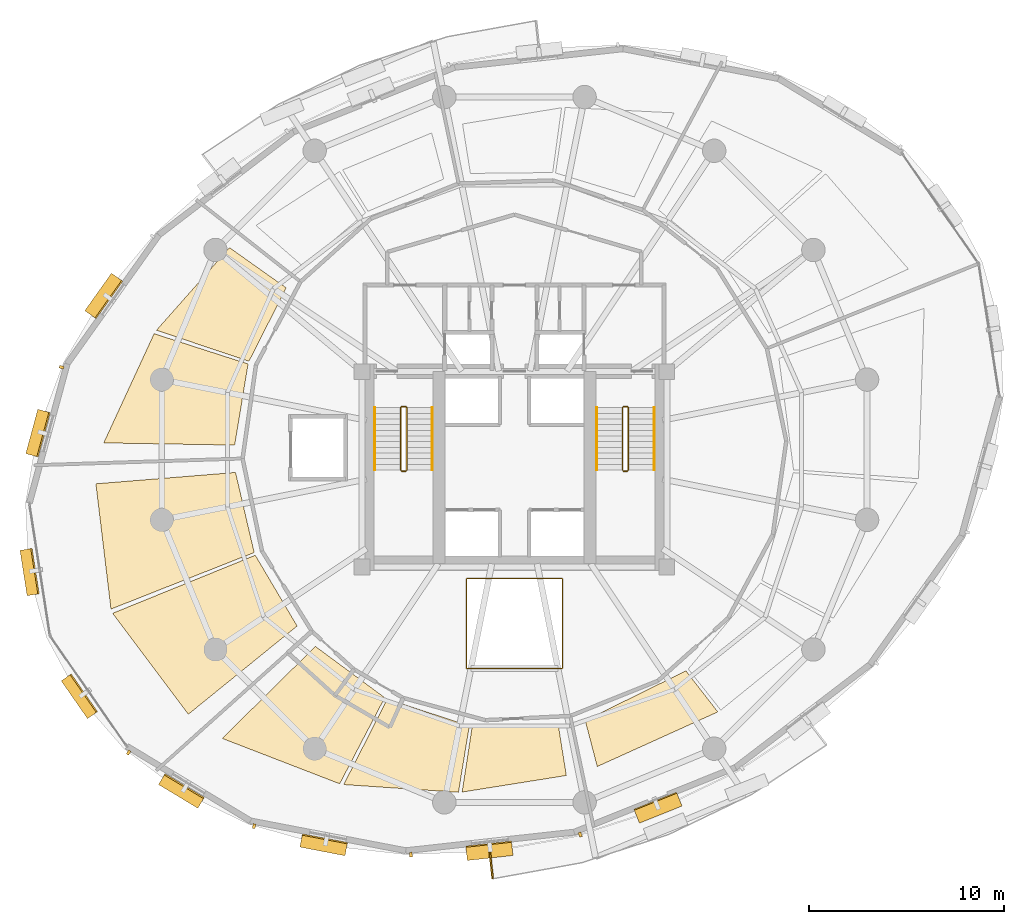
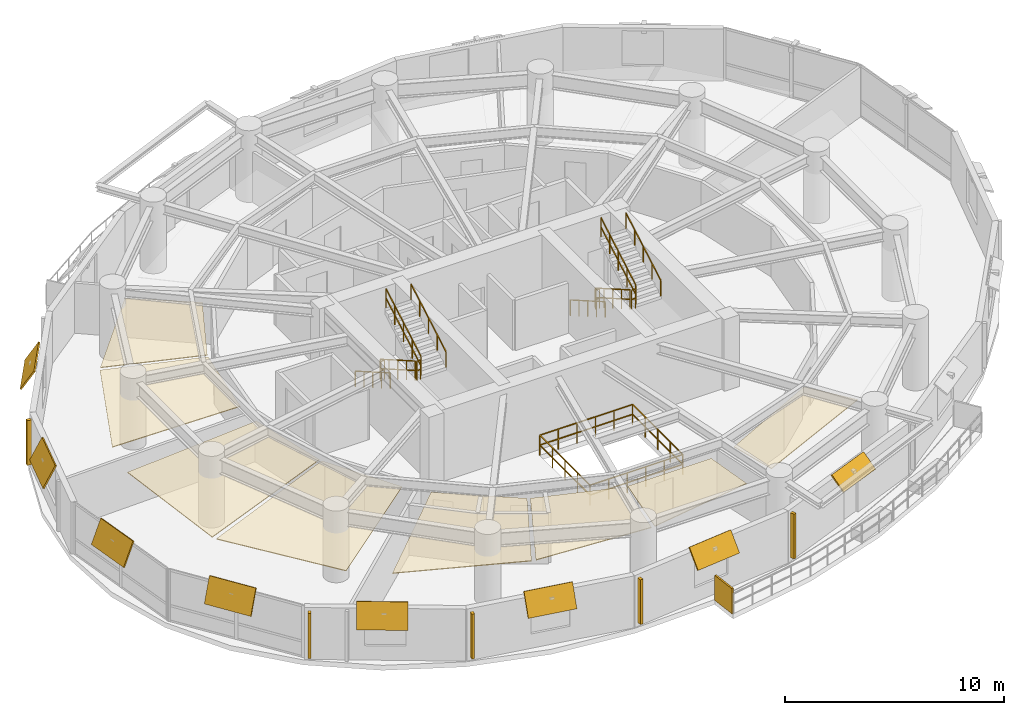
# One storey, part 13 of 14: 14 shading devices, 13 railings, 8 coverings.
"""IFC4 building model written with IfcOpenShell, lengths in metres."""

from ifc_helpers import new_model, si_unit, direction, frame, origin, origin_2d, place, context, subcontext, project, spatial, polyline, rectangle, outline, extrude, material, layer, layer_set, type_object, element, save


model = new_model("IFC4")

# Units and contexts
model_context = context("Model", 3, precision=1e-05, world=origin(), true_north=direction((0.0, 1.0)))
body_context = subcontext(model_context, "Body", "Model", "MODEL_VIEW")
ifc_project = project(units=[si_unit("LENGTHUNIT", "METRE"), si_unit("AREAUNIT", "SQUARE_METRE"), si_unit("VOLUMEUNIT", "CUBIC_METRE"), si_unit("PLANEANGLEUNIT", "RADIAN"), si_unit("MASSUNIT", "GRAM", prefix="KILO"), si_unit("THERMODYNAMICTEMPERATUREUNIT", "KELVIN"), si_unit("POWERUNIT", "WATT")], contexts=[model_context])

# Site, building, storey
site_placement = place(None, origin())
site = spatial("IfcSite", under=ifc_project, at=site_placement, CompositionType="ELEMENT")
building_placement = place(site_placement, origin())
building = spatial("IfcBuilding", under=site, at=building_placement, Name="Ocrelia Relay Tower", CompositionType="ELEMENT")
storey_placement = place(building_placement, frame((0.0, 0.0, 125.800048828125)))
storey = spatial("IfcBuildingStorey", under=building, at=storey_placement, Name="L29", CompositionType="ELEMENT", Elevation=125.800048828125)

# Coverings
ifc_material_1 = material(Name="Mineral-fiber acoustic ceiling tile", Category="gypsum")
ifc_layer_1 = layer(ifc_material_1, 0.0400390625, Name="Mineral-fiber acoustic ceiling tile")
ifc_layer_set_1 = layer_set([ifc_layer_1], Name="Mineral-fiber acoustic ceiling tile")
covering_type_1 = type_object("IfcCoveringType", Name="COV-CEIL-ACOUSTIC", PredefinedType="CEILING", material=ifc_layer_set_1)
covering_1_placement = place(storey_placement, frame((0.0, 0.0, 2.719970703125)))
element("IfcCovering", 1, at=covering_1_placement, inside=storey, type_object=covering_type_1, Name="L29 Innovation Club Room Suspended Ceiling 1", PredefinedType="CEILING", context=body_context, shape_type="SweptSolid", body=[
    extrude(outline(polyline([(23.8125, 15.936279296875), (19.044677734375, 11.226318359375), (25.056396484375, 8.90478515625), (27.36181640625, 13.3115234375), (23.8125, 15.936279296875)])), origin(), (0.0, 0.0, 1.0), 0.0400390625),
])
covering_2_placement = place(storey_placement, frame((0.0, 0.0, 2.719970703125)))
element("IfcCovering", 2, at=covering_2_placement, inside=storey, type_object=covering_type_1, Name="L29 Innovation Club Room Suspended Ceiling 2", PredefinedType="CEILING", context=body_context, shape_type="SweptSolid", body=[
    extrude(outline(polyline([(27.4951171875, 13.24267578125), (25.26220703125, 8.86328125), (31.134521484375, 8.47021484375), (31.68994140625, 11.86767578125), (27.4951171875, 13.24267578125)])), origin(), (0.0, 0.0, 1.0), 0.0400390625),
])
covering_3_placement = place(storey_placement, frame((0.0, 0.0, 2.719970703125)))
element("IfcCovering", 3, at=covering_3_placement, inside=storey, type_object=covering_type_1, Name="L29 Innovation Club Room Suspended Ceiling 3", PredefinedType="CEILING", context=body_context, shape_type="SweptSolid", body=[
    extrude(outline(polyline([(31.838134765625, 11.843994140625), (31.324462890625, 8.480712890625), (36.6552734375, 9.329345703125), (36.25244140625, 11.8583984375), (31.838134765625, 11.843994140625)])), origin(), (0.0, 0.0, 1.0), 0.0400390625),
])
covering_4_placement = place(storey_placement, frame((0.0, 0.0, 2.719970703125)))
element("IfcCovering", 4, at=covering_4_placement, inside=storey, type_object=covering_type_1, Name="L29 Shift Staff Lounge Suspended Ceiling 1", PredefinedType="CEILING", context=body_context, shape_type="SweptSolid", body=[
    extrude(outline(polyline([(22.320068359375, 34.28515625), (19.41845703125, 36.343505859375), (15.677001953125, 32.113037109375), (20.416015625, 30.531982421875), (22.320068359375, 34.28515625)])), origin(), (0.0, 0.0, 1.0), 0.0400390625),
])
covering_5_placement = place(storey_placement, frame((0.0, 0.0, 2.719970703125)))
element("IfcCovering", 5, at=covering_5_placement, inside=storey, type_object=covering_type_1, Name="L29 Shift Staff Lounge Suspended Ceiling 2", PredefinedType="CEILING", context=body_context, shape_type="SweptSolid", body=[
    extrude(outline(polyline([(20.369384765625, 30.389404296875), (15.55859375, 31.938720703125), (12.980712890625, 26.348388671875), (19.681884765625, 26.2373046875), (20.369384765625, 30.389404296875)])), origin(), (0.0, 0.0, 1.0), 0.0400390625),
])
covering_6_placement = place(storey_placement, frame((0.0, 0.0, 2.719970703125)))
element("IfcCovering", 6, at=covering_6_placement, inside=storey, type_object=covering_type_1, Name="L29 Executive Reading Study Suspended Ceiling 1", PredefinedType="CEILING", context=body_context, shape_type="SweptSolid", body=[
    extrude(outline(polyline([(19.72705078125, 24.839111328125), (12.579833984375, 24.2578125), (13.35205078125, 17.845703125), (20.680908203125, 20.739990234375), (19.72705078125, 24.839111328125)])), origin(), (0.0, 0.0, 1.0), 0.0400390625),
])
covering_7_placement = place(storey_placement, frame((0.0, 0.0, 2.719970703125)))
element("IfcCovering", 7, at=covering_7_placement, inside=storey, type_object=covering_type_1, Name="L29 Executive Reading Study Suspended Ceiling 2", PredefinedType="CEILING", context=body_context, shape_type="SweptSolid", body=[
    extrude(outline(polyline([(20.73681640625, 20.600830078125), (13.438720703125, 17.6298828125), (17.310302734375, 12.460693359375), (22.879150390625, 16.978515625), (20.73681640625, 20.600830078125)])), origin(), (0.0, 0.0, 1.0), 0.0400390625),
])
ifc_material_2 = material(Name="Cleanroom metal-pan acoustic ceiling", Category="aluminium")
ifc_layer_2 = layer(ifc_material_2, 0.0400390625, Name="Cleanroom metal-pan acoustic ceiling")
ifc_layer_set_2 = layer_set([ifc_layer_2], Name="Cleanroom metal-pan acoustic ceiling")
covering_type_2 = type_object("IfcCoveringType", Name="COV-CEIL-CLEAN", PredefinedType="CEILING", material=ifc_layer_set_2)
covering_8_placement = place(storey_placement, frame((0.0, 0.0, 2.719970703125)))
element("IfcCovering", 8, at=covering_8_placement, inside=storey, type_object=covering_type_2, Name="L29 Optical Switching Hall A Suspended Ceiling 1", PredefinedType="CEILING", context=body_context, shape_type="SweptSolid", body=[
    extrude(outline(polyline([(37.62158203125, 12.1455078125), (38.238037109375, 9.78759765625), (44.40771484375, 12.582763671875), (42.77685546875, 14.68505859375), (37.62158203125, 12.1455078125)])), origin(), (0.0, 0.0, 1.0), 0.0400390625),
])

# Railings
ifc_material_3 = material(Name="Steel S355 atrium balustrade", Category="steel")
railing_type_1 = type_object("IfcRailingType", Name="RL-INT-GUARD-115", PredefinedType="GUARDRAIL", material=ifc_material_3)
railing_1_placement = place(storey_placement, frame((31.550048828125, 14.800048828125, 0.0)))
element("IfcRailing", 9, at=railing_1_placement, inside=storey, type_object=railing_type_1, Name="L29 Multi-Zone Interior Atrium Guard", PredefinedType="GUARDRAIL", context=body_context, shape_type="SweptSolid", body=[
    extrude(rectangle(XDim=0.048095703125, YDim=0.048095703125, at=origin_2d()), frame((0.0, 0.0, 1.1259765625), z_axis=(1.0, 0.0, 0.0), x_axis=(0.0, 1.0, 0.0)), (0.0, 0.0, 1.0), 4.89990234375),
    extrude(rectangle(XDim=0.048095703125, YDim=0.048095703125, at=origin_2d()), frame((0.0, 0.0, 0.574951171875), z_axis=(1.0, 0.0, 0.0), x_axis=(0.0, 1.0, 0.0)), (0.0, 0.0, 1.0), 4.89990234375),
    extrude(rectangle(XDim=0.048095703125, YDim=0.048095703125, at=origin_2d()), frame((4.89990234375, 0.0, 1.1259765625), z_axis=(0.0, 1.0, 0.0), x_axis=(-1.0, 0.0, 0.0)), (0.0, 0.0, 1.0), 4.599853515625),
    extrude(rectangle(XDim=0.048095703125, YDim=0.048095703125, at=origin_2d()), frame((4.89990234375, 0.0, 0.574951171875), z_axis=(0.0, 1.0, 0.0), x_axis=(-1.0, 0.0, 0.0)), (0.0, 0.0, 1.0), 4.599853515625),
    extrude(rectangle(XDim=0.048095703125, YDim=0.048095703125, at=origin_2d()), frame((4.89990234375, 4.599853515625, 1.1259765625), z_axis=(-1.0, 0.0, 0.0), x_axis=(0.0, -1.0, 0.0)), (0.0, 0.0, 1.0), 4.89990234375),
    extrude(rectangle(XDim=0.048095703125, YDim=0.048095703125, at=origin_2d()), frame((4.89990234375, 4.599853515625, 0.574951171875), z_axis=(-1.0, 0.0, 0.0), x_axis=(0.0, -1.0, 0.0)), (0.0, 0.0, 1.0), 4.89990234375),
    extrude(rectangle(XDim=0.048095703125, YDim=0.048095703125, at=origin_2d()), frame((0.0, 4.599853515625, 1.1259765625), z_axis=(0.0, -1.0, 0.0), x_axis=(1.0, 0.0, 0.0)), (0.0, 0.0, 1.0), 4.599853515625),
    extrude(rectangle(XDim=0.048095703125, YDim=0.048095703125, at=origin_2d()), frame((0.0, 4.599853515625, 0.574951171875), z_axis=(0.0, -1.0, 0.0), x_axis=(1.0, 0.0, 0.0)), (0.0, 0.0, 1.0), 4.599853515625),
    extrude(rectangle(XDim=0.0419921875, YDim=0.0419921875, at=origin_2d()), origin(), (0.0, 0.0, 1.0), 1.101806640625),
    extrude(rectangle(XDim=0.0419921875, YDim=0.0419921875, at=origin_2d()), frame((0.97998046875, 0.0, 0.0)), (0.0, 0.0, 1.0), 1.101806640625),
    extrude(rectangle(XDim=0.0419921875, YDim=0.0419921875, at=origin_2d()), frame((1.9599609375, 0.0, 0.0)), (0.0, 0.0, 1.0), 1.101806640625),
    extrude(rectangle(XDim=0.0419921875, YDim=0.0419921875, at=origin_2d()), frame((2.93994140625, 0.0, 0.0)), (0.0, 0.0, 1.0), 1.101806640625),
    extrude(rectangle(XDim=0.0419921875, YDim=0.0419921875, at=origin_2d()), frame((3.919921875, 0.0, 0.0)), (0.0, 0.0, 1.0), 1.101806640625),
    extrude(rectangle(XDim=0.0419921875, YDim=0.0419921875, at=origin_2d()), frame((4.89990234375, 0.0, 0.0)), (0.0, 0.0, 1.0), 1.101806640625),
    extrude(rectangle(XDim=0.0419921875, YDim=0.0419921875, at=origin_2d()), frame((4.89990234375, 1.14990234375, 0.0)), (0.0, 0.0, 1.0), 1.101806640625),
    extrude(rectangle(XDim=0.0419921875, YDim=0.0419921875, at=origin_2d()), frame((4.89990234375, 2.2998046875, 0.0)), (0.0, 0.0, 1.0), 1.101806640625),
    extrude(rectangle(XDim=0.0419921875, YDim=0.0419921875, at=origin_2d()), frame((4.89990234375, 3.449951171875, 0.0)), (0.0, 0.0, 1.0), 1.101806640625),
    extrude(rectangle(XDim=0.0419921875, YDim=0.0419921875, at=origin_2d()), frame((4.89990234375, 4.599853515625, 0.0)), (0.0, 0.0, 1.0), 1.101806640625),
    extrude(rectangle(XDim=0.0419921875, YDim=0.0419921875, at=origin_2d()), frame((3.919921875, 4.599853515625, 0.0)), (0.0, 0.0, 1.0), 1.101806640625),
    extrude(rectangle(XDim=0.0419921875, YDim=0.0419921875, at=origin_2d()), frame((2.93994140625, 4.599853515625, 0.0)), (0.0, 0.0, 1.0), 1.101806640625),
    extrude(rectangle(XDim=0.0419921875, YDim=0.0419921875, at=origin_2d()), frame((1.9599609375, 4.599853515625, 0.0)), (0.0, 0.0, 1.0), 1.101806640625),
    extrude(rectangle(XDim=0.0419921875, YDim=0.0419921875, at=origin_2d()), frame((0.97998046875, 4.599853515625, 0.0)), (0.0, 0.0, 1.0), 1.101806640625),
    extrude(rectangle(XDim=0.0419921875, YDim=0.0419921875, at=origin_2d()), frame((0.0, 4.599853515625, 0.0)), (0.0, 0.0, 1.0), 1.101806640625),
    extrude(rectangle(XDim=0.0419921875, YDim=0.0419921875, at=origin_2d()), frame((0.0, 3.449951171875, 0.0)), (0.0, 0.0, 1.0), 1.101806640625),
    extrude(rectangle(XDim=0.0419921875, YDim=0.0419921875, at=origin_2d()), frame((0.0, 2.2998046875, 0.0)), (0.0, 0.0, 1.0), 1.101806640625),
    extrude(rectangle(XDim=0.0419921875, YDim=0.0419921875, at=origin_2d()), frame((0.0, 1.14990234375, 0.0)), (0.0, 0.0, 1.0), 1.101806640625),
])
ifc_material_4 = material(Name="Steel S355 balustrade", Category="steel")
railing_type_2 = type_object("IfcRailingType", Name="RL-STAIR-GUARD", PredefinedType="GUARDRAIL", material=ifc_material_4)
railing_2_placement = place(storey_placement, frame((28.179931640625, 28.14990234375, 0.16650390625)))
element("IfcRailing", 10, at=railing_2_placement, inside=storey, type_object=railing_type_2, Name="L29 ST1 stair guard 1", PredefinedType="GUARDRAIL", context=body_context, shape_type="SweptSolid", body=[
    extrude(rectangle(XDim=0.048095703125, YDim=0.048095703125, at=origin_2d()), frame((0.0, 0.0, 1.076171875), z_axis=(0.0, -0.86699087805, 0.498324008431), x_axis=(1.0, 0.0, 0.0)), (0.0, 0.0, 1.0), 3.679443359375),
    extrude(rectangle(XDim=0.048095703125, YDim=0.048095703125, at=origin_2d()), frame((0.0, 0.0, 0.550048828125), z_axis=(0.0, -0.86699087805, 0.498324008431), x_axis=(1.0, 0.0, 0.0)), (0.0, 0.0, 1.0), 3.679443359375),
    extrude(rectangle(XDim=0.0419921875, YDim=0.0419921875, at=origin_2d()), origin(), (0.0, 0.0, 1.0), 1.052001953125),
    extrude(rectangle(XDim=0.0419921875, YDim=0.0419921875, at=origin_2d()), frame((0.0, -0.79736328125, 0.45849609375)), (0.0, 0.0, 1.0), 1.052001953125),
    extrude(rectangle(XDim=0.0419921875, YDim=0.0419921875, at=origin_2d()), frame((0.0, -1.594970703125, 0.916748046875)), (0.0, 0.0, 1.0), 1.052001953125),
    extrude(rectangle(XDim=0.0419921875, YDim=0.0419921875, at=origin_2d()), frame((0.0, -2.392578125, 1.375)), (0.0, 0.0, 1.0), 1.052001953125),
    extrude(rectangle(XDim=0.0419921875, YDim=0.0419921875, at=origin_2d()), frame((0.0, -3.18994140625, 1.83349609375)), (0.0, 0.0, 1.0), 1.052001953125),
])
railing_3_placement = place(storey_placement, frame((28.22998046875, 24.909912109375, 2.0)))
element("IfcRailing", 11, at=railing_3_placement, inside=storey, type_object=railing_type_2, Name="L29 ST1 stair guard 2", PredefinedType="GUARDRAIL", context=body_context, shape_type="SweptSolid", body=[
    extrude(rectangle(XDim=0.048095703125, YDim=0.048095703125, at=origin_2d()), frame((0.0, 0.0, 1.076171875), z_axis=(1.0, 0.0, 0.0), x_axis=(0.0, 1.0, 0.0)), (0.0, 0.0, 1.0), 0.199951171875),
    extrude(rectangle(XDim=0.048095703125, YDim=0.048095703125, at=origin_2d()), frame((0.0, 0.0, 0.550048828125), z_axis=(1.0, 0.0, 0.0), x_axis=(0.0, 1.0, 0.0)), (0.0, 0.0, 1.0), 0.199951171875),
    extrude(rectangle(XDim=0.0419921875, YDim=0.0419921875, at=origin_2d()), origin(), (0.0, 0.0, 1.0), 1.052001953125),
    extrude(rectangle(XDim=0.0419921875, YDim=0.0419921875, at=origin_2d()), frame((0.199951171875, 0.0, 0.0)), (0.0, 0.0, 1.0), 1.052001953125),
])
railing_4_placement = place(storey_placement, frame((28.47998046875, 24.9599609375, 2.16650390625)))
element("IfcRailing", 12, at=railing_4_placement, inside=storey, type_object=railing_type_2, Name="L29 ST1 stair guard 3", PredefinedType="GUARDRAIL", context=body_context, shape_type="SweptSolid", body=[
    extrude(rectangle(XDim=0.048095703125, YDim=0.048095703125, at=origin_2d()), frame((0.0, 0.0, 1.076171875), z_axis=(0.0, 0.86699087805, 0.498324008431), x_axis=(-1.0, 0.0, 0.0)), (0.0, 0.0, 1.0), 3.679443359375),
    extrude(rectangle(XDim=0.048095703125, YDim=0.048095703125, at=origin_2d()), frame((0.0, 0.0, 0.550048828125), z_axis=(0.0, 0.86699087805, 0.498324008431), x_axis=(-1.0, 0.0, 0.0)), (0.0, 0.0, 1.0), 3.679443359375),
    extrude(rectangle(XDim=0.0419921875, YDim=0.0419921875, at=origin_2d()), origin(), (0.0, 0.0, 1.0), 1.052001953125),
    extrude(rectangle(XDim=0.0419921875, YDim=0.0419921875, at=origin_2d()), frame((0.0, 0.79736328125, 0.45849609375)), (0.0, 0.0, 1.0), 1.052001953125),
    extrude(rectangle(XDim=0.0419921875, YDim=0.0419921875, at=origin_2d()), frame((0.0, 1.594970703125, 0.916748046875)), (0.0, 0.0, 1.0), 1.052001953125),
    extrude(rectangle(XDim=0.0419921875, YDim=0.0419921875, at=origin_2d()), frame((0.0, 2.392578125, 1.375)), (0.0, 0.0, 1.0), 1.052001953125),
    extrude(rectangle(XDim=0.0419921875, YDim=0.0419921875, at=origin_2d()), frame((0.0, 3.18994140625, 1.83349609375)), (0.0, 0.0, 1.0), 1.052001953125),
])
railing_5_placement = place(storey_placement, frame((28.22998046875, 28.199951171875, 0.0)))
element("IfcRailing", 13, at=railing_5_placement, inside=storey, type_object=railing_type_2, Name="L29 ST1 stair guard 4", PredefinedType="GUARDRAIL", context=body_context, shape_type="SweptSolid", body=[
    extrude(rectangle(XDim=0.048095703125, YDim=0.048095703125, at=origin_2d()), frame((0.0, 0.0, 1.076171875), z_axis=(1.0, 0.0, 0.0), x_axis=(0.0, 1.0, 0.0)), (0.0, 0.0, 1.0), 0.199951171875),
    extrude(rectangle(XDim=0.048095703125, YDim=0.048095703125, at=origin_2d()), frame((0.0, 0.0, 0.550048828125), z_axis=(1.0, 0.0, 0.0), x_axis=(0.0, 1.0, 0.0)), (0.0, 0.0, 1.0), 0.199951171875),
    extrude(rectangle(XDim=0.0419921875, YDim=0.0419921875, at=origin_2d()), origin(), (0.0, 0.0, 1.0), 1.052001953125),
    extrude(rectangle(XDim=0.0419921875, YDim=0.0419921875, at=origin_2d()), frame((0.199951171875, 0.0, 0.0)), (0.0, 0.0, 1.0), 1.052001953125),
])
railing_6_placement = place(storey_placement, frame((39.530029296875, 28.14990234375, 0.16650390625)))
element("IfcRailing", 14, at=railing_6_placement, inside=storey, type_object=railing_type_2, Name="L29 ST2 stair guard 1", PredefinedType="GUARDRAIL", context=body_context, shape_type="SweptSolid", body=[
    extrude(rectangle(XDim=0.048095703125, YDim=0.048095703125, at=origin_2d()), frame((0.0, 0.0, 1.076171875), z_axis=(0.0, -0.86699087805, 0.498324008431), x_axis=(1.0, 0.0, 0.0)), (0.0, 0.0, 1.0), 3.679443359375),
    extrude(rectangle(XDim=0.048095703125, YDim=0.048095703125, at=origin_2d()), frame((0.0, 0.0, 0.550048828125), z_axis=(0.0, -0.86699087805, 0.498324008431), x_axis=(1.0, 0.0, 0.0)), (0.0, 0.0, 1.0), 3.679443359375),
    extrude(rectangle(XDim=0.0419921875, YDim=0.0419921875, at=origin_2d()), origin(), (0.0, 0.0, 1.0), 1.052001953125),
    extrude(rectangle(XDim=0.0419921875, YDim=0.0419921875, at=origin_2d()), frame((0.0, -0.79736328125, 0.45849609375)), (0.0, 0.0, 1.0), 1.052001953125),
    extrude(rectangle(XDim=0.0419921875, YDim=0.0419921875, at=origin_2d()), frame((0.0, -1.594970703125, 0.916748046875)), (0.0, 0.0, 1.0), 1.052001953125),
    extrude(rectangle(XDim=0.0419921875, YDim=0.0419921875, at=origin_2d()), frame((0.0, -2.392578125, 1.375)), (0.0, 0.0, 1.0), 1.052001953125),
    extrude(rectangle(XDim=0.0419921875, YDim=0.0419921875, at=origin_2d()), frame((0.0, -3.18994140625, 1.83349609375)), (0.0, 0.0, 1.0), 1.052001953125),
])
railing_7_placement = place(storey_placement, frame((39.580078125, 24.909912109375, 2.0)))
element("IfcRailing", 15, at=railing_7_placement, inside=storey, type_object=railing_type_2, Name="L29 ST2 stair guard 2", PredefinedType="GUARDRAIL", context=body_context, shape_type="SweptSolid", body=[
    extrude(rectangle(XDim=0.048095703125, YDim=0.048095703125, at=origin_2d()), frame((0.0, 0.0, 1.076171875), z_axis=(1.0, 0.0, 0.0), x_axis=(0.0, 1.0, 0.0)), (0.0, 0.0, 1.0), 0.199951171875),
    extrude(rectangle(XDim=0.048095703125, YDim=0.048095703125, at=origin_2d()), frame((0.0, 0.0, 0.550048828125), z_axis=(1.0, 0.0, 0.0), x_axis=(0.0, 1.0, 0.0)), (0.0, 0.0, 1.0), 0.199951171875),
    extrude(rectangle(XDim=0.0419921875, YDim=0.0419921875, at=origin_2d()), origin(), (0.0, 0.0, 1.0), 1.052001953125),
    extrude(rectangle(XDim=0.0419921875, YDim=0.0419921875, at=origin_2d()), frame((0.199951171875, 0.0, 0.0)), (0.0, 0.0, 1.0), 1.052001953125),
])
railing_8_placement = place(storey_placement, frame((39.830078125, 24.9599609375, 2.16650390625)))
element("IfcRailing", 16, at=railing_8_placement, inside=storey, type_object=railing_type_2, Name="L29 ST2 stair guard 3", PredefinedType="GUARDRAIL", context=body_context, shape_type="SweptSolid", body=[
    extrude(rectangle(XDim=0.048095703125, YDim=0.048095703125, at=origin_2d()), frame((0.0, 0.0, 1.076171875), z_axis=(0.0, 0.86699087805, 0.498324008431), x_axis=(-1.0, 0.0, 0.0)), (0.0, 0.0, 1.0), 3.679443359375),
    extrude(rectangle(XDim=0.048095703125, YDim=0.048095703125, at=origin_2d()), frame((0.0, 0.0, 0.550048828125), z_axis=(0.0, 0.86699087805, 0.498324008431), x_axis=(-1.0, 0.0, 0.0)), (0.0, 0.0, 1.0), 3.679443359375),
    extrude(rectangle(XDim=0.0419921875, YDim=0.0419921875, at=origin_2d()), origin(), (0.0, 0.0, 1.0), 1.052001953125),
    extrude(rectangle(XDim=0.0419921875, YDim=0.0419921875, at=origin_2d()), frame((0.0, 0.79736328125, 0.45849609375)), (0.0, 0.0, 1.0), 1.052001953125),
    extrude(rectangle(XDim=0.0419921875, YDim=0.0419921875, at=origin_2d()), frame((0.0, 1.594970703125, 0.916748046875)), (0.0, 0.0, 1.0), 1.052001953125),
    extrude(rectangle(XDim=0.0419921875, YDim=0.0419921875, at=origin_2d()), frame((0.0, 2.392578125, 1.375)), (0.0, 0.0, 1.0), 1.052001953125),
    extrude(rectangle(XDim=0.0419921875, YDim=0.0419921875, at=origin_2d()), frame((0.0, 3.18994140625, 1.83349609375)), (0.0, 0.0, 1.0), 1.052001953125),
])
railing_9_placement = place(storey_placement, frame((39.580078125, 28.199951171875, 0.0)))
element("IfcRailing", 17, at=railing_9_placement, inside=storey, type_object=railing_type_2, Name="L29 ST2 stair guard 4", PredefinedType="GUARDRAIL", context=body_context, shape_type="SweptSolid", body=[
    extrude(rectangle(XDim=0.048095703125, YDim=0.048095703125, at=origin_2d()), frame((0.0, 0.0, 1.076171875), z_axis=(1.0, 0.0, 0.0), x_axis=(0.0, 1.0, 0.0)), (0.0, 0.0, 1.0), 0.199951171875),
    extrude(rectangle(XDim=0.048095703125, YDim=0.048095703125, at=origin_2d()), frame((0.0, 0.0, 0.550048828125), z_axis=(1.0, 0.0, 0.0), x_axis=(0.0, 1.0, 0.0)), (0.0, 0.0, 1.0), 0.199951171875),
    extrude(rectangle(XDim=0.0419921875, YDim=0.0419921875, at=origin_2d()), origin(), (0.0, 0.0, 1.0), 1.052001953125),
    extrude(rectangle(XDim=0.0419921875, YDim=0.0419921875, at=origin_2d()), frame((0.199951171875, 0.0, 0.0)), (0.0, 0.0, 1.0), 1.052001953125),
])
ifc_material_5 = material(Name="Steel S355 tubular handrail", Category="steel")
railing_type_3 = type_object("IfcRailingType", Name="RL-STAIR-HAND", PredefinedType="HANDRAIL", material=ifc_material_5)
railing_10_placement = place(storey_placement, frame((26.860107421875, 28.14990234375, 0.16650390625)))
element("IfcRailing", 18, at=railing_10_placement, inside=storey, type_object=railing_type_3, Name="L29 ST1 stair handrail 1", PredefinedType="HANDRAIL", context=body_context, shape_type="SweptSolid", body=[
    extrude(rectangle(XDim=0.048095703125, YDim=0.048095703125, at=origin_2d()), frame((0.0, 0.0, 0.8759765625), z_axis=(0.0, -0.86699087805, 0.498324008431), x_axis=(1.0, 0.0, 0.0)), (0.0, 0.0, 1.0), 3.679443359375),
    extrude(rectangle(XDim=0.0419921875, YDim=0.0419921875, at=origin_2d()), origin(), (0.0, 0.0, 1.0), 0.851806640625),
    extrude(rectangle(XDim=0.0419921875, YDim=0.0419921875, at=origin_2d()), frame((0.0, -0.79736328125, 0.45849609375)), (0.0, 0.0, 1.0), 0.851806640625),
    extrude(rectangle(XDim=0.0419921875, YDim=0.0419921875, at=origin_2d()), frame((0.0, -1.594970703125, 0.916748046875)), (0.0, 0.0, 1.0), 0.851806640625),
    extrude(rectangle(XDim=0.0419921875, YDim=0.0419921875, at=origin_2d()), frame((0.0, -2.392578125, 1.375)), (0.0, 0.0, 1.0), 0.851806640625),
    extrude(rectangle(XDim=0.0419921875, YDim=0.0419921875, at=origin_2d()), frame((0.0, -3.18994140625, 1.83349609375)), (0.0, 0.0, 1.0), 0.851806640625),
])
railing_11_placement = place(storey_placement, frame((29.800048828125, 24.9599609375, 2.16650390625)))
element("IfcRailing", 19, at=railing_11_placement, inside=storey, type_object=railing_type_3, Name="L29 ST1 stair handrail 2", PredefinedType="HANDRAIL", context=body_context, shape_type="SweptSolid", body=[
    extrude(rectangle(XDim=0.048095703125, YDim=0.048095703125, at=origin_2d()), frame((0.0, 0.0, 0.8759765625), z_axis=(0.0, 0.86699087805, 0.498324008431), x_axis=(-1.0, 0.0, 0.0)), (0.0, 0.0, 1.0), 3.679443359375),
    extrude(rectangle(XDim=0.0419921875, YDim=0.0419921875, at=origin_2d()), origin(), (0.0, 0.0, 1.0), 0.851806640625),
    extrude(rectangle(XDim=0.0419921875, YDim=0.0419921875, at=origin_2d()), frame((0.0, 0.79736328125, 0.45849609375)), (0.0, 0.0, 1.0), 0.851806640625),
    extrude(rectangle(XDim=0.0419921875, YDim=0.0419921875, at=origin_2d()), frame((0.0, 1.594970703125, 0.916748046875)), (0.0, 0.0, 1.0), 0.851806640625),
    extrude(rectangle(XDim=0.0419921875, YDim=0.0419921875, at=origin_2d()), frame((0.0, 2.392578125, 1.375)), (0.0, 0.0, 1.0), 0.851806640625),
    extrude(rectangle(XDim=0.0419921875, YDim=0.0419921875, at=origin_2d()), frame((0.0, 3.18994140625, 1.83349609375)), (0.0, 0.0, 1.0), 0.851806640625),
])
railing_12_placement = place(storey_placement, frame((38.2099609375, 28.14990234375, 0.16650390625)))
element("IfcRailing", 20, at=railing_12_placement, inside=storey, type_object=railing_type_3, Name="L29 ST2 stair handrail 1", PredefinedType="HANDRAIL", context=body_context, shape_type="SweptSolid", body=[
    extrude(rectangle(XDim=0.048095703125, YDim=0.048095703125, at=origin_2d()), frame((0.0, 0.0, 0.8759765625), z_axis=(0.0, -0.86699087805, 0.498324008431), x_axis=(1.0, 0.0, 0.0)), (0.0, 0.0, 1.0), 3.679443359375),
    extrude(rectangle(XDim=0.0419921875, YDim=0.0419921875, at=origin_2d()), origin(), (0.0, 0.0, 1.0), 0.851806640625),
    extrude(rectangle(XDim=0.0419921875, YDim=0.0419921875, at=origin_2d()), frame((0.0, -0.79736328125, 0.45849609375)), (0.0, 0.0, 1.0), 0.851806640625),
    extrude(rectangle(XDim=0.0419921875, YDim=0.0419921875, at=origin_2d()), frame((0.0, -1.594970703125, 0.916748046875)), (0.0, 0.0, 1.0), 0.851806640625),
    extrude(rectangle(XDim=0.0419921875, YDim=0.0419921875, at=origin_2d()), frame((0.0, -2.392578125, 1.375)), (0.0, 0.0, 1.0), 0.851806640625),
    extrude(rectangle(XDim=0.0419921875, YDim=0.0419921875, at=origin_2d()), frame((0.0, -3.18994140625, 1.83349609375)), (0.0, 0.0, 1.0), 0.851806640625),
])
railing_13_placement = place(storey_placement, frame((41.14990234375, 24.9599609375, 2.16650390625)))
element("IfcRailing", 21, at=railing_13_placement, inside=storey, type_object=railing_type_3, Name="L29 ST2 stair handrail 2", PredefinedType="HANDRAIL", context=body_context, shape_type="SweptSolid", body=[
    extrude(rectangle(XDim=0.048095703125, YDim=0.048095703125, at=origin_2d()), frame((0.0, 0.0, 0.8759765625), z_axis=(0.0, 0.86699087805, 0.498324008431), x_axis=(-1.0, 0.0, 0.0)), (0.0, 0.0, 1.0), 3.679443359375),
    extrude(rectangle(XDim=0.0419921875, YDim=0.0419921875, at=origin_2d()), origin(), (0.0, 0.0, 1.0), 0.851806640625),
    extrude(rectangle(XDim=0.0419921875, YDim=0.0419921875, at=origin_2d()), frame((0.0, 0.79736328125, 0.45849609375)), (0.0, 0.0, 1.0), 0.851806640625),
    extrude(rectangle(XDim=0.0419921875, YDim=0.0419921875, at=origin_2d()), frame((0.0, 1.594970703125, 0.916748046875)), (0.0, 0.0, 1.0), 0.851806640625),
    extrude(rectangle(XDim=0.0419921875, YDim=0.0419921875, at=origin_2d()), frame((0.0, 2.392578125, 1.375)), (0.0, 0.0, 1.0), 0.851806640625),
    extrude(rectangle(XDim=0.0419921875, YDim=0.0419921875, at=origin_2d()), frame((0.0, 3.18994140625, 1.83349609375)), (0.0, 0.0, 1.0), 0.851806640625),
])

# Shading devices
ifc_material_6 = material(Name="Perforated oxide terracotta solar screen", Category="masonry")
ifc_layer_3 = layer(ifc_material_6, 0.090087890625, Name="Perforated oxide terracotta solar screen")
ifc_layer_set_3 = layer_set([ifc_layer_3], Name="Perforated oxide terracotta solar screen")
shading_device_type_1 = type_object("IfcShadingDeviceType", Name="SH-BALC-SCREEN", PredefinedType="USERDEFINED", material=ifc_layer_set_3)
shading_device_1_placement = place(storey_placement, frame((32.81298828125, 4.72412109375, 0.0), z_axis=(0.0, 0.0, 1.0), x_axis=(0.107934287006, -0.994158030541, 0.0)))
element("IfcShadingDevice", 22, at=shading_device_1_placement, inside=storey, type_object=shading_device_type_1, Name="L29 Balcony Perforated Terracotta Screen B2-1", ObjectType="SCREEN", PredefinedType="USERDEFINED", context=body_context, shape_type="SweptSolid", body=[
    extrude(rectangle(XDim=1.340087890625, YDim=0.090087890625, at=origin_2d()), origin(), (0.0, 0.0, 1.0), 1.39990234375),
])
ifc_material_7 = material(Name="Extruded oxide terracotta vertical baguette", Category="masonry")
shading_device_type_2 = type_object("IfcShadingDeviceType", Name="SH-TERR-BAGUETTE", PredefinedType="USERDEFINED", material=ifc_material_7)
for number, where, z_axis, x_axis, name in (
    (23, (10.82421875, 30.223388671875, 0.199951171875), (0.0, 0.0, 1.0), (-0.261673095661, -0.965156562951, 0.0), "L29 Oxide Terracotta Vertical Baguette 08"),
    (24, (14.25341796875, 10.50390625, 0.199951171875), (0.0, 0.0, 1.0), (0.855989468256, -0.51699325937, 0.0), "L29 Oxide Terracotta Vertical Baguette 11"),
    (25, (20.67919921875, 6.736572265625, 0.199951171875), (0.0, 0.0, 1.0), (0.982064289784, -0.188546362284, 0.0), "L29 Oxide Terracotta Vertical Baguette 12"),
    (26, (28.70068359375, 5.279052734375, 0.199951171875), (0.0, 0.0, 1.0), (0.994001836836, 0.10936337763, 0.0), "L29 Oxide Terracotta Vertical Baguette 13"),
    (27, (37.3662109375, 6.3056640625, 0.199951171875), (0.0, 0.0, 1.0), (0.928159870713, 0.372181749146, 0.0), "L29 Oxide Terracotta Vertical Baguette 14"),
):
    element("IfcShadingDevice", number, at=place(storey_placement, frame(where, z_axis=z_axis, x_axis=x_axis)), inside=storey, type_object=shading_device_type_2, Name=name, ObjectType="BAGUETTE", PredefinedType="USERDEFINED", context=body_context, shape_type="SweptSolid", body=[
        extrude(rectangle(XDim=0.139892578125, YDim=0.239990234375, at=origin_2d()), origin(), (0.0, 0.0, 1.0), 2.5),
    ])
ifc_material_8 = material(Name="Extruded oxide terracotta fin", Category="masonry")
ifc_layer_4 = layer(ifc_material_8, 0.080078125, Name="Extruded oxide terracotta fin")
ifc_layer_set_4 = layer_set([ifc_layer_4], Name="Extruded oxide terracotta fin")
shading_device_type_3 = type_object("IfcShadingDeviceType", Name="SH-VISOR-FIN-DEEP", PredefinedType="USERDEFINED", material=ifc_layer_set_4)
shading_device_2_placement = place(storey_placement, frame((13.010986328125, 33.849853515625, 2.71923828125), z_axis=(-0.697028429552, 0.495937539961, 0.517877712257), x_axis=(-0.579735622714, -0.814804643922, 0.0)))
element("IfcShadingDevice", 28, at=shading_device_2_placement, inside=storey, type_object=shading_device_type_3, Name="L29 Canted Terracotta Sun-Visor Fin 07", ObjectType="FIN", PredefinedType="USERDEFINED", context=body_context, shape_type="SweptSolid", body=[
    extrude(rectangle(XDim=2.35009765625, YDim=1.22998046875, at=origin_2d()), origin(), (0.0, 0.0, 1.0), 0.080078125),
])
shading_device_3_placement = place(storey_placement, frame((9.65234375, 26.8408203125, 2.72216796875), z_axis=(-0.862847925934, 0.233935194072, 0.448071179262), x_axis=(-0.261673095661, -0.965156562951, 0.0)))
element("IfcShadingDevice", 29, at=shading_device_3_placement, inside=storey, type_object=shading_device_type_3, Name="L29 Canted Terracotta Sun-Visor Fin 08", ObjectType="FIN", PredefinedType="USERDEFINED", context=body_context, shape_type="SweptSolid", body=[
    extrude(rectangle(XDim=2.35009765625, YDim=1.305908203125, at=origin_2d()), origin(), (0.0, 0.0, 1.0), 0.080078125),
])
shading_device_4_placement = place(storey_placement, frame((9.224609375, 19.7451171875, 2.723388671875), z_axis=(-0.899552269099, -0.140557110033, 0.413581206025), x_axis=(0.154379097489, -0.988011687309, 0.0)))
element("IfcShadingDevice", 30, at=shading_device_4_placement, inside=storey, type_object=shading_device_type_3, Name="L29 Canted Terracotta Sun-Visor Fin 09", ObjectType="FIN", PredefinedType="USERDEFINED", context=body_context, shape_type="SweptSolid", body=[
    extrude(rectangle(XDim=2.35009765625, YDim=1.343017578125, at=origin_2d()), origin(), (0.0, 0.0, 1.0), 0.080078125),
])
shading_device_5_placement = place(storey_placement, frame((11.76513671875, 13.404052734375, 2.7236328125), z_axis=(-0.74951245796, -0.521303605843, 0.408011796273), x_axis=(0.570993357289, -0.820954679585, 0.0)))
element("IfcShadingDevice", 31, at=shading_device_5_placement, inside=storey, type_object=shading_device_type_3, Name="L29 Canted Terracotta Sun-Visor Fin 10", ObjectType="FIN", PredefinedType="USERDEFINED", context=body_context, shape_type="SweptSolid", body=[
    extrude(rectangle(XDim=2.35009765625, YDim=1.34912109375, at=origin_2d()), origin(), (0.0, 0.0, 1.0), 0.080078125),
])
shading_device_6_placement = place(storey_placement, frame((16.974853515625, 8.5673828125, 2.72265625), z_axis=(-0.46643610023, -0.772281615233, 0.431298587031), x_axis=(0.855989468256, -0.51699325937, 0.0)))
element("IfcShadingDevice", 32, at=shading_device_6_placement, inside=storey, type_object=shading_device_type_3, Name="L29 Canted Terracotta Sun-Visor Fin 11", ObjectType="FIN", PredefinedType="USERDEFINED", context=body_context, shape_type="SweptSolid", body=[
    extrude(rectangle(XDim=2.35009765625, YDim=1.323974609375, at=origin_2d()), origin(), (0.0, 0.0, 1.0), 0.080078125),
])
shading_device_7_placement = place(storey_placement, frame((24.24560546875, 5.81689453125, 2.72021484375), z_axis=(-0.164248037918, -0.85550381748, 0.491055801632), x_axis=(0.982064289784, -0.188546362284, 0.0)))
element("IfcShadingDevice", 33, at=shading_device_7_placement, inside=storey, type_object=shading_device_type_3, Name="L29 Canted Terracotta Sun-Visor Fin 12", ObjectType="FIN", PredefinedType="USERDEFINED", context=body_context, shape_type="SweptSolid", body=[
    extrude(rectangle(XDim=2.35009765625, YDim=1.260009765625, at=origin_2d()), origin(), (0.0, 0.0, 1.0), 0.080078125),
])
ifc_layer_5 = layer(ifc_material_8, 0.080078125, Name="Extruded oxide terracotta fin")
ifc_layer_set_5 = layer_set([ifc_layer_5], Name="Extruded oxide terracotta fin")
shading_device_type_4 = type_object("IfcShadingDeviceType", Name="SH-VISOR-FIN-MED", PredefinedType="USERDEFINED", material=ifc_layer_set_5)
shading_device_8_placement = place(storey_placement, frame((32.7138671875, 5.509033203125, 2.716064453125), z_axis=(0.08788978868, -0.798828760422, 0.595103349486), x_axis=(0.994001836836, 0.10936337763, 0.0)))
element("IfcShadingDevice", 34, at=shading_device_8_placement, inside=storey, type_object=shading_device_type_4, Name="L29 Canted Terracotta Sun-Visor Fin 13", ObjectType="FIN", PredefinedType="USERDEFINED", context=body_context, shape_type="SweptSolid", body=[
    extrude(rectangle(XDim=2.35009765625, YDim=1.14111328125, at=origin_2d()), origin(), (0.0, 0.0, 1.0), 0.080078125),
])
shading_device_9_placement = place(storey_placement, frame((41.33447265625, 7.708740234375, 2.7109375), z_axis=(0.255343607917, -0.636784825306, 0.727533317557), x_axis=(0.928159870713, 0.372181749146, 0.0)))
element("IfcShadingDevice", 35, at=shading_device_9_placement, inside=storey, type_object=shading_device_type_4, Name="L29 Canted Terracotta Sun-Visor Fin 14", ObjectType="FIN", PredefinedType="USERDEFINED", context=body_context, shape_type="SweptSolid", body=[
    extrude(rectangle(XDim=2.35009765625, YDim=0.971923828125, at=origin_2d()), origin(), (0.0, 0.0, 1.0), 0.080078125),
])

save(model, "model.ifc")
